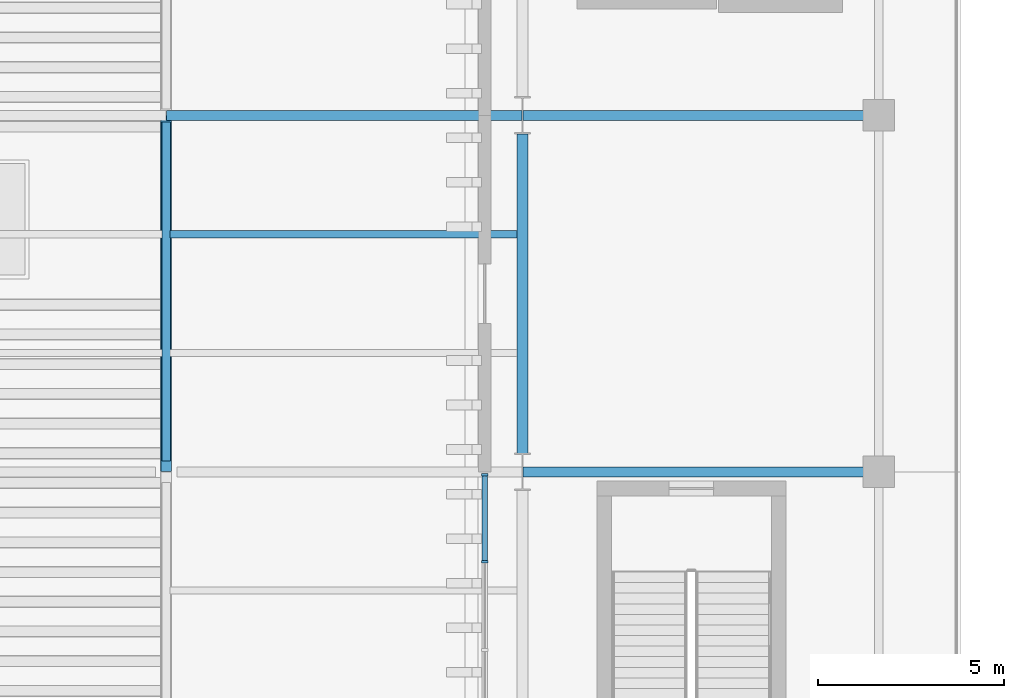
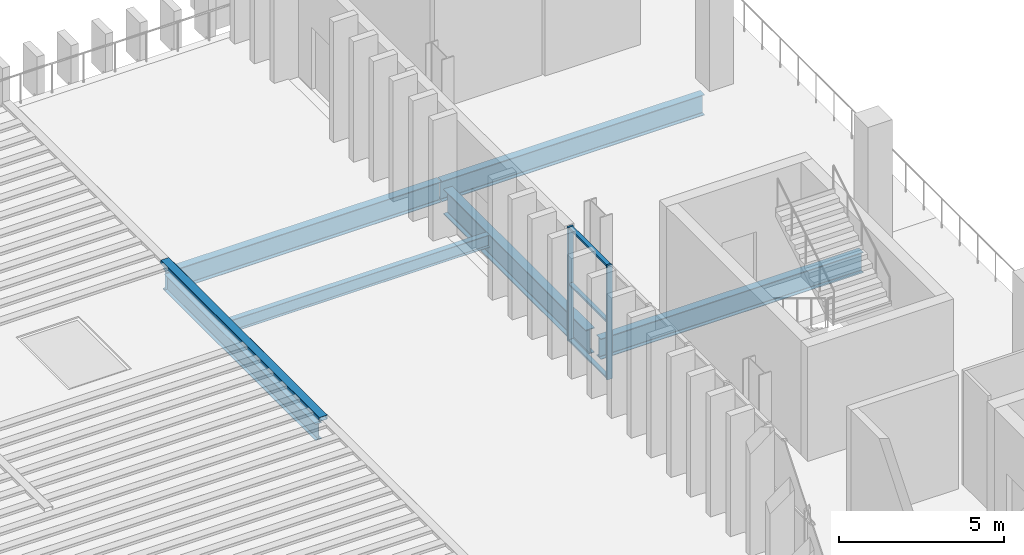
# One storey, part 16 of 92: 6 beams, 6 members, 1 element without a shape of its own.
"""IFC4 building model written with IfcOpenShell, lengths in metres."""

from ifc_helpers import new_model, si_unit, direction, frame, origin, origin_2d, place, context, subcontext, project, spatial, rectangle, hollow_rectangle, i_section, extrude, material, layer, layer_set, material_profile, profile_set, type_object, element, aggregate, save


model = new_model("IFC4")

# Units and contexts
model_context = context("Model", 3, precision=1e-05, world=origin(), true_north=direction((0.0, 1.0)))
body_context = subcontext(model_context, "Body", "Model", "MODEL_VIEW")
ifc_project = project(units=[si_unit("LENGTHUNIT", "METRE"), si_unit("AREAUNIT", "SQUARE_METRE"), si_unit("VOLUMEUNIT", "CUBIC_METRE"), si_unit("PLANEANGLEUNIT", "RADIAN"), si_unit("MASSUNIT", "GRAM", prefix="KILO")], contexts=[model_context])

# Site, building, storey
site_placement = place(None, origin())
site = spatial("IfcSite", under=ifc_project, at=site_placement, CompositionType="ELEMENT")
building_placement = place(site_placement, origin())
building = spatial("IfcBuilding", under=site, at=building_placement, Name="Caelomonte Colonnade Arena", CompositionType="ELEMENT")
storey_placement = place(building_placement, frame((0.0, 0.0, 9.60009765625)))
storey = spatial("IfcBuildingStorey", under=building, at=storey_placement, Name="L02", CompositionType="ELEMENT", Elevation=9.60009765625)

# Curtain wall, members
ifc_material_1 = material(Name="Bronze anodised aluminium and low-E glazing", Category="aluminium")
ifc_layer = layer(ifc_material_1, 0.179931640625)
ifc_layer_set = layer_set([ifc_layer], Name="Bronze anodised aluminium and low-E glazing")
curtain_wall_type = type_object("IfcCurtainWallType", Name="ENV-CW-CW-L02-96-42", PredefinedType="USERDEFINED", material=ifc_layer_set)
curtain_wall_placement = place(storey_placement, origin())
curtain_wall = element("IfcCurtainWall", 1, at=curtain_wall_placement, inside=storey, type_object=curtain_wall_type, Name="L02 unitized curtain wall CW-L02-0566-0624", ObjectType="UNITIZED CURTAIN WALL", PredefinedType="USERDEFINED")
ifc_material_2 = material(Name="Bronze anodised aluminium AA6063-T6", Category="aluminium")
ifc_material_profile_1 = material_profile(ifc_material_2, rectangle(XDim=0.070068359375, YDim=0.179931640625, at=origin_2d()), Name="CWM-70X180")
ifc_profile_set_1 = profile_set([ifc_material_profile_1], Name="Bronze anodised aluminium AA6063-T6")
member_type_1 = type_object("IfcMemberType", Name="ENV-CW-MULL1", PredefinedType="MULLION", material=ifc_profile_set_1)
member_1_placement = place(storey_placement, frame((56.580078125, 67.125, 0.0), z_axis=(0.0, 0.0, 1.0), x_axis=(0.0, -1.0, 0.0)))
member_1 = element("IfcMember", 2, at=member_1_placement, type_object=member_type_1, Name="CW-L02-96-42 mullion 1", PredefinedType="MULLION", context=body_context, shape_type="SweptSolid", body=[
    extrude(rectangle(XDim=0.070068359375, YDim=0.179931640625, at=origin_2d()), origin(), (0.0, 0.0, 1.0), 4.219970703125),
])
member_2_placement = place(storey_placement, frame((56.580078125, 64.780029296875, 0.0), z_axis=(0.0, 0.0, 1.0), x_axis=(0.0, -1.0, 0.0)))
member_2 = element("IfcMember", 3, at=member_2_placement, type_object=member_type_1, Name="CW-L02-96-42 mullion 2", PredefinedType="MULLION", context=body_context, shape_type="SweptSolid", body=[
    extrude(rectangle(XDim=0.070068359375, YDim=0.179931640625, at=origin_2d()), origin(), (0.0, 0.0, 1.0), 4.219970703125),
])
ifc_material_profile_2 = material_profile(ifc_material_2, rectangle(XDim=0.070068359375, YDim=0.139892578125, at=origin_2d()), Name="CWT-70X140")
ifc_profile_set_2 = profile_set([ifc_material_profile_2], Name="Bronze anodised aluminium AA6063-T6")
member_type_2 = type_object("IfcMemberType", Name="ENV-CW-TRAN1", PredefinedType="USERDEFINED", material=ifc_profile_set_2)
member_3_placement = place(storey_placement, frame((56.580078125, 67.090087890625, 0.034912109375), z_axis=(0.0, -1.0, 0.0), x_axis=(0.0, 0.0, 1.0)))
member_3 = element("IfcMember", 4, at=member_3_placement, type_object=member_type_2, Name="CW-L02-96-42 transom 1.1", ObjectType="TRANSOM", PredefinedType="USERDEFINED", context=body_context, shape_type="SweptSolid", body=[
    extrude(rectangle(XDim=0.070068359375, YDim=0.139892578125, at=origin_2d()), origin(), (0.0, 0.0, 1.0), 2.275146484375),
])
member_4_placement = place(storey_placement, frame((56.580078125, 67.090087890625, 2.10986328125), z_axis=(0.0, -1.0, 0.0), x_axis=(0.0, 0.0, 1.0)))
member_4 = element("IfcMember", 5, at=member_4_placement, type_object=member_type_2, Name="CW-L02-96-42 transom 1.2", ObjectType="TRANSOM", PredefinedType="USERDEFINED", context=body_context, shape_type="SweptSolid", body=[
    extrude(rectangle(XDim=0.070068359375, YDim=0.139892578125, at=origin_2d()), origin(), (0.0, 0.0, 1.0), 2.275146484375),
])
member_5_placement = place(storey_placement, frame((56.580078125, 67.090087890625, 4.184814453125), z_axis=(0.0, -1.0, 0.0), x_axis=(0.0, 0.0, 1.0)))
member_5 = element("IfcMember", 6, at=member_5_placement, type_object=member_type_2, Name="CW-L02-96-42 transom 1.3", ObjectType="TRANSOM", PredefinedType="USERDEFINED", context=body_context, shape_type="SweptSolid", body=[
    extrude(rectangle(XDim=0.070068359375, YDim=0.139892578125, at=origin_2d()), origin(), (0.0, 0.0, 1.0), 2.275146484375),
])
aggregate(curtain_wall, [member_1, member_2, member_3, member_4, member_5])

# Beams
ifc_material_3 = material(Name="Wide-flange steel ASTM A992 Grade 50", Category="steel")
ifc_material_profile_3 = material_profile(ifc_material_3, i_section(OverallWidth=0.307861328125, OverallDepth=0.927001953125, WebThickness=0.019287109375, FlangeThickness=0.031982421875, FilletRadius=0.020263671875, at=origin_2d()), Name="W36X194")
ifc_profile_set_3 = profile_set([ifc_material_profile_3], Name="Wide-flange steel ASTM A992 Grade 50")
beam_type_1 = type_object("IfcBeamType", Name="STR-BM-EAVES2", PredefinedType="SPANDREL", material=ifc_profile_set_3)
beam_1_placement = place(storey_placement, frame((57.60009765625, 67.697509765625, -0.74365234375), z_axis=(0.0, 1.0, 0.0), x_axis=(-1.0, 0.0, 0.0)))
element("IfcBeam", 7, at=beam_1_placement, inside=storey, type_object=beam_type_1, Name="L02 girder BMY-L02-0576-0672", PredefinedType="SPANDREL", context=body_context, shape_type="SweptSolid", body=[
    extrude(i_section(OverallWidth=0.307861328125, OverallDepth=0.927001953125, WebThickness=0.019287109375, FlangeThickness=0.031982421875, FilletRadius=0.020263671875, at=origin_2d()), origin(), (0.0, 0.0, 1.0), 8.60498046875),
])
ifc_material_profile_4 = material_profile(ifc_material_3, i_section(OverallWidth=0.228271484375, OverallDepth=0.607177734375, WebThickness=0.01123046875, FlangeThickness=0.017333984375, FilletRadius=0.0126953125, at=origin_2d()), Name="W24X76")
ifc_profile_set_4 = profile_set([ifc_material_profile_4], Name="Wide-flange steel ASTM A992 Grade 50")
beam_type_2 = type_object("IfcBeamType", Name="STR-BM-GIRD24", PredefinedType="BEAM", material=ifc_profile_set_4)
beam_2_placement = place(storey_placement, frame((48.0, 67.491943359375, -0.58349609375), z_axis=(0.0, 1.0, 0.0), x_axis=(-1.0, 0.0, 0.0)))
element("IfcBeam", 8, at=beam_2_placement, inside=storey, type_object=beam_type_2, Name="L02 girder BMY-L02-0480-0672", PredefinedType="BEAM", context=body_context, shape_type="SweptSolid", body=[
    extrude(i_section(OverallWidth=0.228271484375, OverallDepth=0.607177734375, WebThickness=0.01123046875, FlangeThickness=0.017333984375, FilletRadius=0.0126953125, at=origin_2d()), origin(), (0.0, 0.0, 1.0), 9.137939453125),
])
ifc_material_profile_5 = material_profile(ifc_material_3, i_section(OverallWidth=0.2666015625, OverallDepth=0.761962890625, WebThickness=0.014404296875, FlangeThickness=0.021484375, FilletRadius=0.0166015625, at=origin_2d()), Name="W30X116")
ifc_profile_set_5 = profile_set([ifc_material_profile_5], Name="Wide-flange steel ASTM A992 Grade 50")
beam_type_3 = type_object("IfcBeamType", Name="STR-BM-GIRD30", PredefinedType="BEAM", material=ifc_profile_set_5)
beam_3_placement = place(storey_placement, frame((57.61181640625, 67.199951171875, -0.6611328125), z_axis=(1.0, 0.0, 0.0), x_axis=(0.0, 1.0, 0.0)))
element("IfcBeam", 9, at=beam_3_placement, inside=storey, type_object=beam_type_3, Name="L02 girder BMX-L02-0576-0672", PredefinedType="BEAM", context=body_context, shape_type="SweptSolid", body=[
    extrude(i_section(OverallWidth=0.2666015625, OverallDepth=0.761962890625, WebThickness=0.014404296875, FlangeThickness=0.021484375, FilletRadius=0.0166015625, at=origin_2d()), origin(), (0.0, 0.0, 1.0), 9.171142578125),
])
beam_4_placement = place(storey_placement, frame((48.005615234375, 76.800048828125, -0.6611328125), z_axis=(1.0, 0.0, 0.0), x_axis=(0.0, 1.0, 0.0)))
element("IfcBeam", 10, at=beam_4_placement, inside=storey, type_object=beam_type_3, Name="L02 girder BMX-L02-0480-0768", PredefinedType="BEAM", context=body_context, shape_type="SweptSolid", body=[
    extrude(i_section(OverallWidth=0.2666015625, OverallDepth=0.761962890625, WebThickness=0.014404296875, FlangeThickness=0.021484375, FilletRadius=0.0166015625, at=origin_2d()), origin(), (0.0, 0.0, 1.0), 9.58251953125),
])
beam_5_placement = place(storey_placement, frame((57.61181640625, 76.800048828125, -0.6611328125), z_axis=(1.0, 0.0, 0.0), x_axis=(0.0, 1.0, 0.0)))
element("IfcBeam", 11, at=beam_5_placement, inside=storey, type_object=beam_type_3, Name="L02 girder BMX-L02-0576-0768", PredefinedType="BEAM", context=body_context, shape_type="SweptSolid", body=[
    extrude(i_section(OverallWidth=0.2666015625, OverallDepth=0.761962890625, WebThickness=0.014404296875, FlangeThickness=0.021484375, FilletRadius=0.0166015625, at=origin_2d()), origin(), (0.0, 0.0, 1.0), 9.171142578125),
])
ifc_material_profile_6 = material_profile(ifc_material_3, i_section(OverallWidth=0.1904296875, OverallDepth=0.457275390625, WebThickness=0.009033203125, FlangeThickness=0.014404296875, FilletRadius=0.01025390625, at=origin_2d()), Name="W18X50")
ifc_profile_set_6 = profile_set([ifc_material_profile_6], Name="Wide-flange steel ASTM A992 Grade 50")
beam_type_4 = type_object("IfcBeamType", Name="STR-BM-JOIST18", PredefinedType="JOIST", material=ifc_profile_set_6)
beam_6_placement = place(storey_placement, frame((48.109130859375, 73.60009765625, -0.5087890625), z_axis=(1.0, 0.0, 0.0), x_axis=(0.0, 1.0, 0.0)))
element("IfcBeam", 12, at=beam_6_placement, inside=storey, type_object=beam_type_4, Name="L02 secondary joist 2", PredefinedType="JOIST", context=body_context, shape_type="SweptSolid", body=[
    extrude(i_section(OverallWidth=0.1904296875, OverallDepth=0.457275390625, WebThickness=0.009033203125, FlangeThickness=0.014404296875, FilletRadius=0.01025390625, at=origin_2d()), origin(), (0.0, 0.0, 1.0), 9.342041015625),
])

# Member
ifc_material_4 = material(Name="Steel ASTM A500 Grade C", Category="steel")
ifc_material_profile_7 = material_profile(ifc_material_4, hollow_rectangle(XDim=0.300048828125, YDim=0.14990234375, WallThickness=0.008056640625, InnerFilletRadius=0.008056640625, OuterFilletRadius=0.01611328125, at=origin_2d()), Name="HSS300X150X8")
ifc_profile_set_7 = profile_set([ifc_material_profile_7], Name="Steel ASTM A500 Grade C")
member_type_3 = type_object("IfcMemberType", Name="STR-LW-PAR1", PredefinedType="STRUT", material=ifc_profile_set_7)
member_6_placement = place(storey_placement, frame((48.0, 67.2041015625, 0.074951171875), z_axis=(0.0, 1.0, 0.0), x_axis=(-1.0, 0.0, 0.0)))
element("IfcMember", 13, at=member_6_placement, inside=storey, type_object=member_type_3, Name="Planted lawn parterre planter header HDR-E5", PredefinedType="STRUT", context=body_context, shape_type="SweptSolid", body=[
    extrude(hollow_rectangle(XDim=0.300048828125, YDim=0.14990234375, WallThickness=0.008056640625, InnerFilletRadius=0.008056640625, OuterFilletRadius=0.01611328125, at=origin_2d()), origin(), (0.0, 0.0, 1.0), 9.591796875),
])

save(model, "model.ifc")
